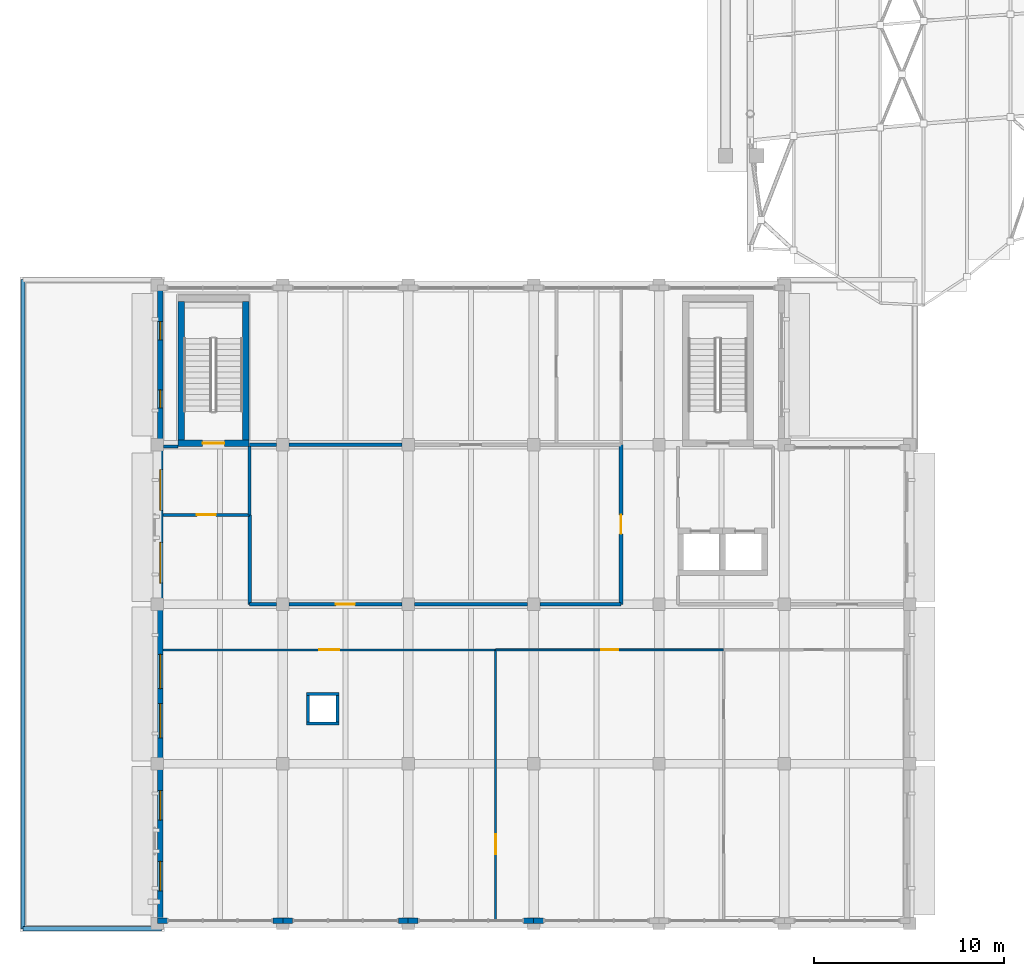
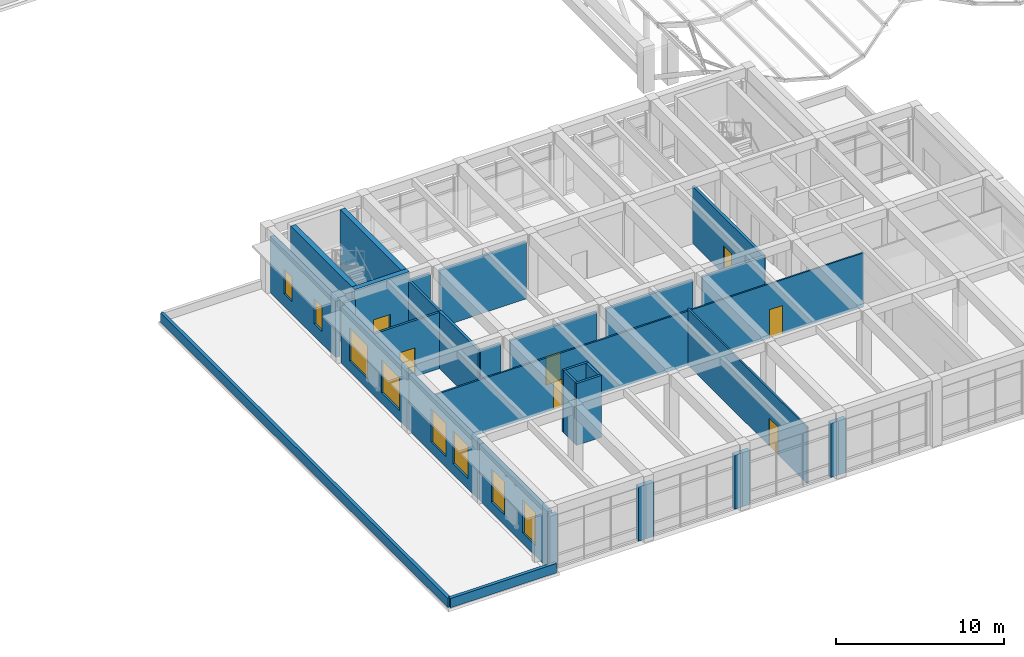
# One storey, part 50 of 79: 34 walls, 8 windows, 7 doors, 15 openings.
"""IFC4 building model written with IfcOpenShell, lengths in metres."""

from ifc_helpers import new_model, si_unit, direction, frame, frame_2d, origin, place, context, subcontext, project, spatial, rectangle, extrude, material, layer, layer_set, type_object, element, fill, save


model = new_model("IFC4")

# Units and contexts
model_context = context("Model", 3, precision=1e-05, world=origin(), true_north=direction((0.0, 1.0)))
body_context = subcontext(model_context, "Body", "Model", "MODEL_VIEW")
ifc_project = project(units=[si_unit("LENGTHUNIT", "METRE"), si_unit("AREAUNIT", "SQUARE_METRE"), si_unit("VOLUMEUNIT", "CUBIC_METRE"), si_unit("PLANEANGLEUNIT", "RADIAN"), si_unit("MASSUNIT", "GRAM", prefix="KILO")], contexts=[model_context])

# Site, building, storey
site_placement = place(None, origin())
site = spatial("IfcSite", under=ifc_project, at=site_placement, CompositionType="ELEMENT")
building_placement = place(site_placement, origin())
building = spatial("IfcBuilding", under=site, at=building_placement, Name="Kolvaren Faculty of Natural Sciences", CompositionType="ELEMENT")
storey_placement = place(building_placement, frame((0.0, 0.0, 10.199951171875)))
storey = spatial("IfcBuildingStorey", under=building, at=storey_placement, Name="L02", CompositionType="ELEMENT", Elevation=10.199951171875)

# Wall, opening, door
ifc_material_1 = material(Name="Concrete C40/50", Category="concrete")
ifc_layer_1 = layer(ifc_material_1, 0.35009765625)
ifc_layer_set_1 = layer_set([ifc_layer_1], Name="Concrete C40/50")
wall_type_1 = type_object("IfcWallType", Name="CoreShearWall_350", PredefinedType="SHEAR", material=ifc_layer_set_1)
wall_1_placement = place(storey_placement, frame((7.875, 33.875, 0.0), z_axis=(0.0, 0.0, 1.0), x_axis=(1.0, 0.0, 0.0)))
wall_1 = element("IfcWall", 1, at=wall_1_placement, inside=storey, type_object=wall_type_1, Name="L02 CORE-C8 stair shear wall S", PredefinedType="SHEAR", context=body_context, shape_type="SweptSolid", body=[
    extrude(rectangle(XDim=3.75, YDim=0.35009765625, at=frame_2d((1.875, 0.0))), origin(), (0.0, 0.0, 1.0), 4.800048828125),
])
opening_1_placement = place(wall_1_placement, frame((1.300048828125, 0.0, 0.0)))
opening_1 = element("IfcOpeningElement", 2, at=opening_1_placement, cuts=wall_1, Name="Opening FD90", PredefinedType="OPENING", context=body_context, shape_type="SweptSolid", body=[
    extrude(rectangle(XDim=1.14990234375, YDim=2.14990234375, at=frame_2d((0.574951171875, 1.074951171875))), frame((0.0, 0.18505859375, 0.0), z_axis=(0.0, -1.0, 0.0), x_axis=(1.0, 0.0, 0.0)), (0.0, 0.0, 1.0), 0.3701171875),
])
ifc_material_2 = material(Name="Fire-rated solid-core hardwood door leaf in steel frame", Category="steel")
door_type_1 = type_object("IfcDoorType", Name="StairCoreFireDoor_1150x2150", OperationType="NOTDEFINED", PredefinedType="DOOR", material=ifc_material_2)
door_1_placement = place(opening_1_placement, origin())
door_1 = element("IfcDoor", 3, at=door_1_placement, inside=storey, type_object=door_type_1, Name="D-ST-ST-8-L02", OperationType="SINGLE_SWING_LEFT", OverallHeight=2.14990234375, OverallWidth=1.14990234375, PredefinedType="DOOR", context=body_context, shape_type="SweptSolid", body=[
    extrude(rectangle(XDim=1.14990234375, YDim=2.14990234375, at=frame_2d((0.574951171875, 1.074951171875))), frame((0.0, 0.02490234375, 0.0), z_axis=(0.0, -1.0, 0.0), x_axis=(1.0, 0.0, 0.0)), (0.0, 0.0, 1.0), 0.050048828125),
])
fill(opening_1, door_1)

# Walls
for number, where, z_axis, x_axis, name in (
    (4, (8.050048828125, 34.050048828125, 0.0), (0.0, 0.0, 1.0), (0.0, 1.0, 0.0), "L02 CORE-C8 stair shear wall W"),
    (5, (11.449951171875, 34.050048828125, 0.0), (0.0, 0.0, 1.0), (0.0, 1.0, 0.0), "L02 CORE-C8 stair shear wall E"),
):
    element("IfcWall", number, at=place(storey_placement, frame(where, z_axis=z_axis, x_axis=x_axis)), inside=storey, type_object=wall_type_1, Name=name, PredefinedType="SHEAR", context=body_context, shape_type="SweptSolid", body=[
        extrude(rectangle(XDim=7.27490234375, YDim=0.35009765625, at=frame_2d((3.637451171875, 0.0))), origin(), (0.0, 0.0, 1.0), 4.800048828125),
    ])
ifc_material_3 = material(Name="Sandstone-faced insulated cavity masonry", Category="masonry")
ifc_layer_2 = layer(ifc_material_3, 0.300048828125)
ifc_layer_set_2 = layer_set([ifc_layer_2], Name="Sandstone-faced insulated cavity masonry")
wall_type_2 = type_object("IfcWallType", Name="ExteriorCavityWall_300", PredefinedType="STANDARD", material=ifc_layer_set_2)
for number, where, z_axis, x_axis, name in (
    (6, (27.1201171875, 8.75, 0.0), (0.0, 0.0, 1.0), (-1.0, 0.0, 0.0), "L02 curtain-wall pier stub 341"),
    (7, (26.60009765625, 8.75, 0.0), (0.0, 0.0, 1.0), (-1.0, 0.0, 0.0), "L02 curtain-wall pier stub 342"),
    (8, (20.52001953125, 8.75, 0.0), (0.0, 0.0, 1.0), (-1.0, 0.0, 0.0), "L02 curtain-wall pier stub 343"),
    (9, (20.0, 8.75, 0.0), (0.0, 0.0, 1.0), (-1.0, 0.0, 0.0), "L02 curtain-wall pier stub 344"),
    (10, (13.919921875, 8.75, 0.0), (0.0, 0.0, 1.0), (-1.0, 0.0, 0.0), "L02 curtain-wall pier stub 345"),
    (11, (13.39990234375, 8.75, 0.0), (0.0, 0.0, 1.0), (-1.0, 0.0, 0.0), "L02 curtain-wall pier stub 346"),
    (12, (7.320068359375, 8.75, 0.0), (0.0, 0.0, 1.0), (-1.0, 0.0, 0.0), "L02 curtain-wall pier stub 347"),
):
    element("IfcWall", number, at=place(storey_placement, frame(where, z_axis=z_axis, x_axis=x_axis)), inside=storey, type_object=wall_type_2, Name=name, PredefinedType="STANDARD", context=body_context, shape_type="SweptSolid", body=[
        extrude(rectangle(XDim=0.52001953125, YDim=0.300048828125, at=frame_2d((0.260009765625, 0.0))), origin(), (0.0, 0.0, 1.0), 3.93505859375),
    ])

# Wall, openings, windows
wall_2_placement = place(storey_placement, frame((6.949951171875, 8.89990234375, 0.0), z_axis=(0.0, 0.0, 1.0), x_axis=(0.0, 1.0, 0.0)))
wall_2 = element("IfcWall", 13, at=wall_2_placement, inside=storey, type_object=wall_type_2, Name="L02 exterior masonry wall EW-300 (348)", PredefinedType="STANDARD", context=body_context, shape_type="SweptSolid", body=[
    extrude(rectangle(XDim=8.10009765625, YDim=0.300048828125, at=frame_2d((4.050048828125, 0.0))), origin(), (0.0, 0.0, 1.0), 4.0849609375),
])
opening_2_placement = place(wall_2_placement, frame((1.412109375, 0.0, 0.75)))
opening_2 = element("IfcOpeningElement", 14, at=opening_2_placement, cuts=wall_2, Name="Opening WIN-20", PredefinedType="OPENING", context=body_context, shape_type="SweptSolid", body=[
    extrude(rectangle(XDim=1.550048828125, YDim=2.39990234375, at=frame_2d((0.77490234375, 1.199951171875))), frame((0.0, 0.159912109375, 0.0), z_axis=(0.0, -1.0, 0.0), x_axis=(1.0, 0.0, 0.0)), (0.0, 0.0, 1.0), 0.320068359375),
])
opening_3_placement = place(wall_2_placement, frame((5.137939453125, 0.0, 0.75)))
opening_3 = element("IfcOpeningElement", 15, at=opening_3_placement, cuts=wall_2, Name="Opening WIN-20", PredefinedType="OPENING", context=body_context, shape_type="SweptSolid", body=[
    extrude(rectangle(XDim=1.550048828125, YDim=2.39990234375, at=frame_2d((0.77490234375, 1.199951171875))), frame((0.0, 0.159912109375, 0.0), z_axis=(0.0, -1.0, 0.0), x_axis=(1.0, 0.0, 0.0)), (0.0, 0.0, 1.0), 0.320068359375),
])
ifc_material_4 = material(Name="Double low-E solar control insulated glazing", Category="glass")
window_type_1 = type_object("IfcWindowType", Name="AluWindow_WIN20_1550x2400", PartitioningType="SINGLE_PANEL", PredefinedType="WINDOW", material=ifc_material_4)
window_1_placement = place(opening_2_placement, origin())
window_1 = element("IfcWindow", 16, at=window_1_placement, inside=storey, type_object=window_type_1, Name="WIN-L02-0263", OverallHeight=2.39990234375, OverallWidth=1.550048828125, PartitioningType="SINGLE_PANEL", PredefinedType="WINDOW", context=body_context, shape_type="SweptSolid", body=[
    extrude(rectangle(XDim=1.550048828125, YDim=2.39990234375, at=frame_2d((0.77490234375, 1.199951171875))), frame((0.0, 0.030029296875, 0.0), z_axis=(0.0, -1.0, 0.0), x_axis=(1.0, 0.0, 0.0)), (0.0, 0.0, 1.0), 0.06005859375),
])
fill(opening_2, window_1)
window_2_placement = place(opening_3_placement, origin())
window_2 = element("IfcWindow", 17, at=window_2_placement, inside=storey, type_object=window_type_1, Name="WIN-L02-0264", OverallHeight=2.39990234375, OverallWidth=1.550048828125, PartitioningType="SINGLE_PANEL", PredefinedType="WINDOW", context=body_context, shape_type="SweptSolid", body=[
    extrude(rectangle(XDim=1.550048828125, YDim=2.39990234375, at=frame_2d((0.77490234375, 1.199951171875))), frame((0.0, 0.030029296875, 0.0), z_axis=(0.0, -1.0, 0.0), x_axis=(1.0, 0.0, 0.0)), (0.0, 0.0, 1.0), 0.06005859375),
])
fill(opening_3, window_2)

wall_3_placement = place(storey_placement, frame((6.949951171875, 17.0, 0.0), z_axis=(0.0, 0.0, 1.0), x_axis=(0.0, 1.0, 0.0)))
wall_3 = element("IfcWall", 18, at=wall_3_placement, inside=storey, type_object=wall_type_2, Name="L02 exterior masonry wall EW-300 (349)", PredefinedType="STANDARD", context=body_context, shape_type="SweptSolid", body=[
    extrude(rectangle(XDim=8.39990234375, YDim=0.300048828125, at=frame_2d((4.199951171875, 0.0))), origin(), (0.0, 0.0, 1.0), 4.0849609375),
])
opening_4_placement = place(wall_3_placement, frame((1.367919921875, 0.0, 0.75)))
opening_4 = element("IfcOpeningElement", 19, at=opening_4_placement, cuts=wall_3, Name="Opening WIN-21", PredefinedType="OPENING", context=body_context, shape_type="SweptSolid", body=[
    extrude(rectangle(XDim=1.800048828125, YDim=2.39990234375, at=frame_2d((0.89990234375, 1.199951171875))), frame((0.0, 0.159912109375, 0.0), z_axis=(0.0, -1.0, 0.0), x_axis=(1.0, 0.0, 0.0)), (0.0, 0.0, 1.0), 0.320068359375),
])
opening_5_placement = place(wall_3_placement, frame((3.9599609375, 0.0, 0.75)))
opening_5 = element("IfcOpeningElement", 20, at=opening_5_placement, cuts=wall_3, Name="Opening WIN-21", PredefinedType="OPENING", context=body_context, shape_type="SweptSolid", body=[
    extrude(rectangle(XDim=1.800048828125, YDim=2.39990234375, at=frame_2d((0.89990234375, 1.199951171875))), frame((0.0, 0.159912109375, 0.0), z_axis=(0.0, -1.0, 0.0), x_axis=(1.0, 0.0, 0.0)), (0.0, 0.0, 1.0), 0.320068359375),
])
window_type_2 = type_object("IfcWindowType", Name="AluWindow_WIN21_1800x2400", PartitioningType="SINGLE_PANEL", PredefinedType="WINDOW", material=ifc_material_4)
window_3_placement = place(opening_4_placement, origin())
window_3 = element("IfcWindow", 21, at=window_3_placement, inside=storey, type_object=window_type_2, Name="WIN-L02-0265", OverallHeight=2.39990234375, OverallWidth=1.800048828125, PartitioningType="SINGLE_PANEL", PredefinedType="WINDOW", context=body_context, shape_type="SweptSolid", body=[
    extrude(rectangle(XDim=1.800048828125, YDim=2.39990234375, at=frame_2d((0.89990234375, 1.199951171875))), frame((0.0, 0.030029296875, 0.0), z_axis=(0.0, -1.0, 0.0), x_axis=(1.0, 0.0, 0.0)), (0.0, 0.0, 1.0), 0.06005859375),
])
fill(opening_4, window_3)
window_4_placement = place(opening_5_placement, origin())
window_4 = element("IfcWindow", 22, at=window_4_placement, inside=storey, type_object=window_type_2, Name="WIN-L02-0266", OverallHeight=2.39990234375, OverallWidth=1.800048828125, PartitioningType="SINGLE_PANEL", PredefinedType="WINDOW", context=body_context, shape_type="SweptSolid", body=[
    extrude(rectangle(XDim=1.800048828125, YDim=2.39990234375, at=frame_2d((0.89990234375, 1.199951171875))), frame((0.0, 0.030029296875, 0.0), z_axis=(0.0, -1.0, 0.0), x_axis=(1.0, 0.0, 0.0)), (0.0, 0.0, 1.0), 0.06005859375),
])
fill(opening_5, window_4)

wall_4_placement = place(storey_placement, frame((6.949951171875, 25.39990234375, 0.0), z_axis=(0.0, 0.0, 1.0), x_axis=(0.0, 1.0, 0.0)))
wall_4 = element("IfcWall", 23, at=wall_4_placement, inside=storey, type_object=wall_type_2, Name="L02 exterior masonry wall EW-300 (350)", PredefinedType="STANDARD", context=body_context, shape_type="SweptSolid", body=[
    extrude(rectangle(XDim=8.10009765625, YDim=0.300048828125, at=frame_2d((4.050048828125, 0.0))), origin(), (0.0, 0.0, 1.0), 4.0849609375),
])
opening_6_placement = place(wall_4_placement, frame((1.112060546875, 0.0, 0.75)))
opening_6 = element("IfcOpeningElement", 24, at=opening_6_placement, cuts=wall_4, Name="Opening WIN-22", PredefinedType="OPENING", context=body_context, shape_type="SweptSolid", body=[
    extrude(rectangle(XDim=2.14990234375, YDim=2.39990234375, at=frame_2d((1.074951171875, 1.199951171875))), frame((0.0, 0.159912109375, 0.0), z_axis=(0.0, -1.0, 0.0), x_axis=(1.0, 0.0, 0.0)), (0.0, 0.0, 1.0), 0.320068359375),
])
opening_7_placement = place(wall_4_placement, frame((4.93994140625, 0.0, 0.75)))
opening_7 = element("IfcOpeningElement", 25, at=opening_7_placement, cuts=wall_4, Name="Opening WIN-22", PredefinedType="OPENING", context=body_context, shape_type="SweptSolid", body=[
    extrude(rectangle(XDim=2.14990234375, YDim=2.39990234375, at=frame_2d((1.074951171875, 1.199951171875))), frame((0.0, 0.159912109375, 0.0), z_axis=(0.0, -1.0, 0.0), x_axis=(1.0, 0.0, 0.0)), (0.0, 0.0, 1.0), 0.320068359375),
])
window_type_3 = type_object("IfcWindowType", Name="AluWindow_WIN22_2150x2400", PartitioningType="SINGLE_PANEL", PredefinedType="WINDOW", material=ifc_material_4)
window_5_placement = place(opening_6_placement, origin())
window_5 = element("IfcWindow", 26, at=window_5_placement, inside=storey, type_object=window_type_3, Name="WIN-L02-0267", OverallHeight=2.39990234375, OverallWidth=2.14990234375, PartitioningType="SINGLE_PANEL", PredefinedType="WINDOW", context=body_context, shape_type="SweptSolid", body=[
    extrude(rectangle(XDim=2.14990234375, YDim=2.39990234375, at=frame_2d((1.074951171875, 1.199951171875))), frame((0.0, 0.030029296875, 0.0), z_axis=(0.0, -1.0, 0.0), x_axis=(1.0, 0.0, 0.0)), (0.0, 0.0, 1.0), 0.06005859375),
])
fill(opening_6, window_5)
window_6_placement = place(opening_7_placement, origin())
window_6 = element("IfcWindow", 27, at=window_6_placement, inside=storey, type_object=window_type_3, Name="WIN-L02-0268", OverallHeight=2.39990234375, OverallWidth=2.14990234375, PartitioningType="SINGLE_PANEL", PredefinedType="WINDOW", context=body_context, shape_type="SweptSolid", body=[
    extrude(rectangle(XDim=2.14990234375, YDim=2.39990234375, at=frame_2d((1.074951171875, 1.199951171875))), frame((0.0, 0.030029296875, 0.0), z_axis=(0.0, -1.0, 0.0), x_axis=(1.0, 0.0, 0.0)), (0.0, 0.0, 1.0), 0.06005859375),
])
fill(opening_7, window_6)

wall_5_placement = place(storey_placement, frame((6.949951171875, 34.10009765625, 0.0), z_axis=(0.0, 0.0, 1.0), x_axis=(0.0, 1.0, 0.0)))
wall_5 = element("IfcWall", 28, at=wall_5_placement, inside=storey, type_object=wall_type_2, Name="L02 exterior masonry wall EW-300 (351)", PredefinedType="STANDARD", context=body_context, shape_type="SweptSolid", body=[
    extrude(rectangle(XDim=7.7998046875, YDim=0.300048828125, at=frame_2d((3.89990234375, 0.0))), origin(), (0.0, 0.0, 1.0), 4.0849609375),
])
opening_8_placement = place(wall_5_placement, frame((1.631103515625, 0.0, 0.89990234375)))
opening_8 = element("IfcOpeningElement", 29, at=opening_8_placement, cuts=wall_5, Name="Opening WIN-23", PredefinedType="OPENING", context=body_context, shape_type="SweptSolid", body=[
    extrude(rectangle(XDim=0.949951171875, YDim=1.800048828125, at=frame_2d((0.47509765625, 0.89990234375))), frame((0.0, 0.159912109375, 0.0), z_axis=(0.0, -1.0, 0.0), x_axis=(1.0, 0.0, 0.0)), (0.0, 0.0, 1.0), 0.320068359375),
])
opening_9_placement = place(wall_5_placement, frame((5.218994140625, 0.0, 0.89990234375)))
opening_9 = element("IfcOpeningElement", 30, at=opening_9_placement, cuts=wall_5, Name="Opening WIN-23", PredefinedType="OPENING", context=body_context, shape_type="SweptSolid", body=[
    extrude(rectangle(XDim=0.949951171875, YDim=1.800048828125, at=frame_2d((0.47509765625, 0.89990234375))), frame((0.0, 0.159912109375, 0.0), z_axis=(0.0, -1.0, 0.0), x_axis=(1.0, 0.0, 0.0)), (0.0, 0.0, 1.0), 0.320068359375),
])
window_type_4 = type_object("IfcWindowType", Name="AluWindow_WIN23_950x1800", PartitioningType="SINGLE_PANEL", PredefinedType="WINDOW", material=ifc_material_4)
window_7_placement = place(opening_8_placement, origin())
window_7 = element("IfcWindow", 31, at=window_7_placement, inside=storey, type_object=window_type_4, Name="WIN-L02-0269", OverallHeight=1.800048828125, OverallWidth=0.949951171875, PartitioningType="SINGLE_PANEL", PredefinedType="WINDOW", context=body_context, shape_type="SweptSolid", body=[
    extrude(rectangle(XDim=0.949951171875, YDim=1.800048828125, at=frame_2d((0.47509765625, 0.89990234375))), frame((0.0, 0.030029296875, 0.0), z_axis=(0.0, -1.0, 0.0), x_axis=(1.0, 0.0, 0.0)), (0.0, 0.0, 1.0), 0.06005859375),
])
fill(opening_8, window_7)
window_8_placement = place(opening_9_placement, origin())
window_8 = element("IfcWindow", 32, at=window_8_placement, inside=storey, type_object=window_type_4, Name="WIN-L02-0270", OverallHeight=1.800048828125, OverallWidth=0.949951171875, PartitioningType="SINGLE_PANEL", PredefinedType="WINDOW", context=body_context, shape_type="SweptSolid", body=[
    extrude(rectangle(XDim=0.949951171875, YDim=1.800048828125, at=frame_2d((0.47509765625, 0.89990234375))), frame((0.0, 0.030029296875, 0.0), z_axis=(0.0, -1.0, 0.0), x_axis=(1.0, 0.0, 0.0)), (0.0, 0.0, 1.0), 0.06005859375),
])
fill(opening_9, window_8)

# Walls
ifc_material_5 = material(Name="Acoustic mineral-wool insulated gypsum partition")
ifc_layer_3 = layer(ifc_material_5, 0.18505859375)
ifc_layer_set_3 = layer_set([ifc_layer_3], Name="Acoustic mineral-wool insulated gypsum partition")
wall_type_3 = type_object("IfcWallType", Name="LabPartitionWall_185", PredefinedType="PARTITIONING", material=ifc_layer_set_3)
wall_6_placement = place(storey_placement, frame((11.64990234375, 33.800048828125, 0.0), z_axis=(0.0, 0.0, 1.0), x_axis=(1.0, 0.0, 0.0)))
element("IfcWall", 33, at=wall_6_placement, inside=storey, type_object=wall_type_3, Name="L02 interior partition PW-185", PredefinedType="PARTITIONING", context=body_context, shape_type="SweptSolid", body=[
    extrude(rectangle(XDim=1.425048828125, YDim=0.18505859375, at=frame_2d((0.71240234375, 0.0))), origin(), (0.0, 0.0, 1.0), 4.135009765625),
])
wall_7_placement = place(storey_placement, frame((13.72509765625, 33.800048828125, 0.0), z_axis=(0.0, 0.0, 1.0), x_axis=(1.0, 0.0, 0.0)))
element("IfcWall", 34, at=wall_7_placement, inside=storey, type_object=wall_type_3, Name="L02 interior partition PW-185", PredefinedType="PARTITIONING", context=body_context, shape_type="SweptSolid", body=[
    extrude(rectangle(XDim=5.949951171875, YDim=0.18505859375, at=frame_2d((2.97509765625, 0.0))), origin(), (0.0, 0.0, 1.0), 4.135009765625),
])

# Wall, opening, door
wall_8_placement = place(storey_placement, frame((31.199951171875, 33.800048828125, 0.0), z_axis=(0.0, 0.0, 1.0), x_axis=(0.0, -1.0, 0.0)))
wall_8 = element("IfcWall", 35, at=wall_8_placement, inside=storey, type_object=wall_type_3, Name="L02 interior partition PW-185", PredefinedType="PARTITIONING", context=body_context, shape_type="SweptSolid", body=[
    extrude(rectangle(XDim=8.400146484375, YDim=0.18505859375, at=frame_2d((4.2001953125, 0.0))), origin(), (0.0, 0.0, 1.0), 4.135009765625),
])
opening_10_placement = place(wall_8_placement, frame((3.699951171875, 0.0, 0.0)))
opening_10 = element("IfcOpeningElement", 36, at=opening_10_placement, cuts=wall_8, Name="Opening ID-08", PredefinedType="OPENING", context=body_context, shape_type="SweptSolid", body=[
    extrude(rectangle(XDim=1.0, YDim=2.06005859375, at=frame_2d((0.5, 1.030029296875))), frame((0.0, 0.1025390625, 0.0), z_axis=(0.0, -1.0, 0.0), x_axis=(1.0, 0.0, 0.0)), (0.0, 0.0, 1.0), 0.205078125),
])
ifc_material_6 = material(Name="Solid-core hardwood veneer door leaf in steel frame", Category="steel")
door_type_2 = type_object("IfcDoorType", Name="InteriorRoomDoor_1000x2060", OperationType="NOTDEFINED", PredefinedType="DOOR", material=ifc_material_6)
door_2_placement = place(opening_10_placement, origin())
door_2 = element("IfcDoor", 37, at=door_2_placement, inside=storey, type_object=door_type_2, Name="D-L02-0195", OperationType="SINGLE_SWING_LEFT", OverallHeight=2.06005859375, OverallWidth=1.0, PredefinedType="DOOR", context=body_context, shape_type="SweptSolid", body=[
    extrude(rectangle(XDim=1.0, YDim=2.06005859375, at=frame_2d((0.5, 1.030029296875))), frame((0.0, 0.02490234375, 0.0), z_axis=(0.0, -1.0, 0.0), x_axis=(1.0, 0.0, 0.0)), (0.0, 0.0, 1.0), 0.050048828125),
])
fill(opening_10, door_2)

# Walls
wall_9_placement = place(storey_placement, frame((31.199951171875, 25.39990234375, 0.0), z_axis=(0.0, 0.0, 1.0), x_axis=(-1.0, 0.0, 0.0)))
element("IfcWall", 38, at=wall_9_placement, inside=storey, type_object=wall_type_3, Name="L02 interior partition PW-185", PredefinedType="PARTITIONING", context=body_context, shape_type="SweptSolid", body=[
    extrude(rectangle(XDim=4.27490234375, YDim=0.18505859375, at=frame_2d((2.137451171875, 0.0))), origin(), (0.0, 0.0, 1.0), 4.135009765625),
])
wall_10_placement = place(storey_placement, frame((26.27490234375, 25.39990234375, 0.0), z_axis=(0.0, 0.0, 1.0), x_axis=(-1.0, 0.0, 0.0)))
element("IfcWall", 39, at=wall_10_placement, inside=storey, type_object=wall_type_3, Name="L02 interior partition PW-185", PredefinedType="PARTITIONING", context=body_context, shape_type="SweptSolid", body=[
    extrude(rectangle(XDim=5.949951171875, YDim=0.18505859375, at=frame_2d((2.97509765625, 0.0))), origin(), (0.0, 0.0, 1.0), 4.135009765625),
])

# Wall, opening, door
wall_11_placement = place(storey_placement, frame((19.675048828125, 25.39990234375, 0.0), z_axis=(0.0, 0.0, 1.0), x_axis=(-1.0, 0.0, 0.0)))
wall_11 = element("IfcWall", 40, at=wall_11_placement, inside=storey, type_object=wall_type_3, Name="L02 interior partition PW-185", PredefinedType="PARTITIONING", context=body_context, shape_type="SweptSolid", body=[
    extrude(rectangle(XDim=5.949951171875, YDim=0.18505859375, at=frame_2d((2.97509765625, 0.0))), origin(), (0.0, 0.0, 1.0), 4.135009765625),
])
opening_11_placement = place(wall_11_placement, frame((2.47509765625, 0.0, 0.0)))
opening_11 = element("IfcOpeningElement", 41, at=opening_11_placement, cuts=wall_11, Name="Opening ID-08", PredefinedType="OPENING", context=body_context, shape_type="SweptSolid", body=[
    extrude(rectangle(XDim=1.0, YDim=2.06005859375, at=frame_2d((0.5, 1.030029296875))), frame((0.0, 0.1025390625, 0.0), z_axis=(0.0, -1.0, 0.0), x_axis=(1.0, 0.0, 0.0)), (0.0, 0.0, 1.0), 0.205078125),
])
door_3_placement = place(opening_11_placement, origin())
door_3 = element("IfcDoor", 42, at=door_3_placement, inside=storey, type_object=door_type_2, Name="D-L02-0196", OperationType="SINGLE_SWING_RIGHT", OverallHeight=2.06005859375, OverallWidth=1.0, PredefinedType="DOOR", context=body_context, shape_type="SweptSolid", body=[
    extrude(rectangle(XDim=1.0, YDim=2.06005859375, at=frame_2d((0.5, 1.030029296875))), frame((0.0, 0.02490234375, 0.0), z_axis=(0.0, -1.0, 0.0), x_axis=(1.0, 0.0, 0.0)), (0.0, 0.0, 1.0), 0.050048828125),
])
fill(opening_11, door_3)

# Walls
wall_12_placement = place(storey_placement, frame((13.074951171875, 25.39990234375, 0.0), z_axis=(0.0, 0.0, 1.0), x_axis=(-1.0, 0.0, 0.0)))
element("IfcWall", 43, at=wall_12_placement, inside=storey, type_object=wall_type_3, Name="L02 interior partition PW-185", PredefinedType="PARTITIONING", context=body_context, shape_type="SweptSolid", body=[
    extrude(rectangle(XDim=1.425048828125, YDim=0.18505859375, at=frame_2d((0.71240234375, 0.0))), origin(), (0.0, 0.0, 1.0), 4.135009765625),
])
wall_13_placement = place(storey_placement, frame((11.64990234375, 25.39990234375, 0.0), z_axis=(0.0, 0.0, 1.0), x_axis=(0.0, 1.0, 0.0)))
element("IfcWall", 44, at=wall_13_placement, inside=storey, type_object=wall_type_3, Name="L02 interior partition PW-185", PredefinedType="PARTITIONING", context=body_context, shape_type="SweptSolid", body=[
    extrude(rectangle(XDim=4.7001953125, YDim=0.18505859375, at=frame_2d((2.35009765625, 0.0))), origin(), (0.0, 0.0, 1.0), 4.135009765625),
])
ifc_material_7 = material(Name="Precast concrete C35/45", Category="concrete")
ifc_layer_4 = layer(ifc_material_7, 0.219970703125)
ifc_layer_set_4 = layer_set([ifc_layer_4], Name="Precast concrete C35/45")
wall_type_4 = type_object("IfcWallType", Name="ParapetUpstandWall_220", PredefinedType="PARAPET", material=ifc_layer_set_4)
wall_14_placement = place(storey_placement, frame((7.030029296875, 8.320068359375, 0.0), z_axis=(0.0, 0.0, 1.0), x_axis=(-1.0, 0.0, 0.0)))
element("IfcWall", 45, at=wall_14_placement, inside=storey, type_object=wall_type_4, Name="L02 architectural sandstone roof parapet 19", PredefinedType="PARAPET", context=body_context, shape_type="SweptSolid", body=[
    extrude(rectangle(XDim=7.31005859375, YDim=0.219970703125, at=frame_2d((3.655029296875, 0.0))), origin(), (0.0, 0.0, 1.0), 0.679931640625),
])
wall_15_placement = place(storey_placement, frame((-0.280029296875, 8.320068359375, 0.0), z_axis=(0.0, 0.0, 1.0), x_axis=(0.0, 1.0, 0.0)))
element("IfcWall", 46, at=wall_15_placement, inside=storey, type_object=wall_type_4, Name="L02 architectural sandstone roof parapet 20", PredefinedType="PARAPET", context=body_context, shape_type="SweptSolid", body=[
    extrude(rectangle(XDim=34.159912109375, YDim=0.219970703125, at=frame_2d((17.080078125, 0.0))), origin(), (0.0, 0.0, 1.0), 0.679931640625),
])

# Wall, opening, door
ifc_material_8 = material(Name="Double fire-rated gypsum board on 100 mm steel stud", Category="steel")
ifc_layer_5 = layer(ifc_material_8, 0.14990234375)
ifc_layer_set_5 = layer_set([ifc_layer_5], Name="Double fire-rated gypsum board on 100 mm steel stud")
wall_type_5 = type_object("IfcWallType", Name="RatedCorridorWall_150", PredefinedType="PARTITIONING", material=ifc_layer_set_5)
wall_16_placement = place(storey_placement, frame((11.64990234375, 30.10009765625, 0.0), z_axis=(0.0, 0.0, 1.0), x_axis=(-1.0, 0.0, 0.0)))
wall_16 = element("IfcWall", 47, at=wall_16_placement, inside=storey, type_object=wall_type_5, Name="L02 interior partition LW-150", PredefinedType="PARTITIONING", context=body_context, shape_type="SweptSolid", body=[
    extrude(rectangle(XDim=4.5478515625, YDim=0.14990234375, at=frame_2d((2.27392578125, 0.0))), origin(), (0.0, 0.0, 1.0), 4.0849609375),
])
opening_12_placement = place(wall_16_placement, frame((1.77392578125, 0.0, 0.0)))
opening_12 = element("IfcOpeningElement", 48, at=opening_12_placement, cuts=wall_16, Name="Opening FD30", PredefinedType="OPENING", context=body_context, shape_type="SweptSolid", body=[
    extrude(rectangle(XDim=1.0, YDim=2.10009765625, at=frame_2d((0.5, 1.050048828125))), frame((0.0, 0.0849609375, 0.0), z_axis=(0.0, -1.0, 0.0), x_axis=(1.0, 0.0, 0.0)), (0.0, 0.0, 1.0), 0.169921875),
])
door_type_3 = type_object("IfcDoorType", Name="CorridorFireDoor_1000x2100", OperationType="NOTDEFINED", PredefinedType="DOOR", material=ifc_material_2)
door_4_placement = place(opening_12_placement, origin())
door_4 = element("IfcDoor", 49, at=door_4_placement, inside=storey, type_object=door_type_3, Name="D-L02-0177", OperationType="SINGLE_SWING_LEFT", OverallHeight=2.10009765625, OverallWidth=1.0, PredefinedType="DOOR", context=body_context, shape_type="SweptSolid", body=[
    extrude(rectangle(XDim=1.0, YDim=2.10009765625, at=frame_2d((0.5, 1.050048828125))), frame((0.0, 0.02490234375, 0.0), z_axis=(0.0, -1.0, 0.0), x_axis=(1.0, 0.0, 0.0)), (0.0, 0.0, 1.0), 0.050048828125),
])
fill(opening_12, door_4)

# Walls
wall_17_placement = place(storey_placement, frame((7.125, 33.699951171875, 0.0), z_axis=(0.0, 0.0, 1.0), x_axis=(1.0, 0.0, 0.0)))
element("IfcWall", 50, at=wall_17_placement, inside=storey, type_object=wall_type_5, Name="L02 interior partition LW-150", PredefinedType="PARTITIONING", context=body_context, shape_type="SweptSolid", body=[
    extrude(rectangle(XDim=0.75, YDim=0.14990234375, at=frame_2d((0.375, 0.0))), origin(), (0.0, 0.0, 1.0), 4.135009765625),
])
wall_18_placement = place(storey_placement, frame((11.64990234375, 33.699951171875, 0.0), z_axis=(0.0, 0.0, 1.0), x_axis=(0.0, -1.0, 0.0)))
element("IfcWall", 51, at=wall_18_placement, inside=storey, type_object=wall_type_5, Name="L02 interior partition LW-150", PredefinedType="PARTITIONING", context=body_context, shape_type="SweptSolid", body=[
    extrude(rectangle(XDim=3.599853515625, YDim=0.14990234375, at=frame_2d((1.7998046875, 0.0))), origin(), (0.0, 0.0, 1.0), 4.135009765625),
])
ifc_layer_6 = layer(ifc_material_8, 0.159912109375)
ifc_layer_set_6 = layer_set([ifc_layer_6], Name="Double fire-rated gypsum board on 100 mm steel stud")
wall_type_6 = type_object("IfcWallType", Name="RiserShaftWall_160", PredefinedType="PARTITIONING", material=ifc_layer_set_6)
for number, where, z_axis, x_axis, name in (
    (52, (14.639892578125, 19.1201171875, 0.0), (0.0, 0.0, 1.0), (1.0, 0.0, 0.0), "L02 service riser shaft wall S"),
    (53, (14.639892578125, 20.679931640625, 0.0), (0.0, 0.0, 1.0), (1.0, 0.0, 0.0), "L02 service riser shaft wall N"),
):
    element("IfcWall", number, at=place(storey_placement, frame(where, z_axis=z_axis, x_axis=x_axis)), inside=storey, type_object=wall_type_6, Name=name, PredefinedType="PARTITIONING", context=body_context, shape_type="SweptSolid", body=[
        extrude(rectangle(XDim=1.72021484375, YDim=0.159912109375, at=frame_2d((0.860107421875, 0.0))), origin(), (0.0, 0.0, 1.0), 4.4951171875),
    ])
for number, where, z_axis, x_axis, name in (
    (54, (14.719970703125, 19.199951171875, 0.0), (0.0, 0.0, 1.0), (0.0, 1.0, 0.0), "L02 service riser shaft wall W"),
    (55, (16.280029296875, 19.199951171875, 0.0), (0.0, 0.0, 1.0), (0.0, 1.0, 0.0), "L02 service riser shaft wall E"),
):
    element("IfcWall", number, at=place(storey_placement, frame(where, z_axis=z_axis, x_axis=x_axis)), inside=storey, type_object=wall_type_6, Name=name, PredefinedType="PARTITIONING", context=body_context, shape_type="SweptSolid", body=[
        extrude(rectangle(XDim=1.400146484375, YDim=0.159912109375, at=frame_2d((0.7001953125, 0.0))), origin(), (0.0, 0.0, 1.0), 4.4951171875),
    ])

# Wall, opening, door
ifc_layer_7 = layer(ifc_material_5, 0.114990234375)
ifc_layer_set_7 = layer_set([ifc_layer_7], Name="Acoustic mineral-wool insulated gypsum partition")
wall_type_7 = type_object("IfcWallType", Name="StorePartitionWall_115", PredefinedType="PARTITIONING", material=ifc_layer_set_7)
wall_19_placement = place(storey_placement, frame((7.10205078125, 23.0, 0.0), z_axis=(0.0, 0.0, 1.0), x_axis=(1.0, 0.0, 0.0)))
wall_19 = element("IfcWall", 56, at=wall_19_placement, inside=storey, type_object=wall_type_7, Name="L02 interior partition PW-115", PredefinedType="PARTITIONING", context=body_context, shape_type="SweptSolid", body=[
    extrude(rectangle(XDim=17.498046875, YDim=0.114990234375, at=frame_2d((8.7490234375, 0.0))), origin(), (0.0, 0.0, 1.0), 3.93505859375),
])
opening_13_placement = place(wall_19_placement, frame((8.218994140625, 0.0, 0.0)))
opening_13 = element("IfcOpeningElement", 57, at=opening_13_placement, cuts=wall_19, Name="Opening ID-05", PredefinedType="OPENING", context=body_context, shape_type="SweptSolid", body=[
    extrude(rectangle(XDim=1.06005859375, YDim=2.02001953125, at=frame_2d((0.530029296875, 1.010009765625))), frame((0.0, 0.0673828125, 0.0), z_axis=(0.0, -1.0, 0.0), x_axis=(1.0, 0.0, 0.0)), (0.0, 0.0, 1.0), 0.135009765625),
])
door_type_4 = type_object("IfcDoorType", Name="InteriorRoomDoor_1060x2020", OperationType="NOTDEFINED", PredefinedType="DOOR", material=ifc_material_6)
door_5_placement = place(opening_13_placement, origin())
door_5 = element("IfcDoor", 58, at=door_5_placement, inside=storey, type_object=door_type_4, Name="D-L02-0189", OperationType="SINGLE_SWING_LEFT", OverallHeight=2.02001953125, OverallWidth=1.06005859375, PredefinedType="DOOR", context=body_context, shape_type="SweptSolid", body=[
    extrude(rectangle(XDim=1.06005859375, YDim=2.02001953125, at=frame_2d((0.530029296875, 1.010009765625))), frame((0.0, 0.02490234375, 0.0), z_axis=(0.0, -1.0, 0.0), x_axis=(1.0, 0.0, 0.0)), (0.0, 0.0, 1.0), 0.050048828125),
])
fill(opening_13, door_5)

wall_20_placement = place(storey_placement, frame((24.60009765625, 23.0, 0.0), z_axis=(0.0, 0.0, 1.0), x_axis=(0.0, -1.0, 0.0)))
wall_20 = element("IfcWall", 59, at=wall_20_placement, inside=storey, type_object=wall_type_7, Name="L02 interior partition PW-115", PredefinedType="PARTITIONING", context=body_context, shape_type="SweptSolid", body=[
    extrude(rectangle(XDim=14.219970703125, YDim=0.114990234375, at=frame_2d((7.10986328125, 0.0))), origin(), (0.0, 0.0, 1.0), 4.0849609375),
])
opening_14_placement = place(wall_20_placement, frame((9.70849609375, 0.0, 0.0)))
opening_14 = element("IfcOpeningElement", 60, at=opening_14_placement, cuts=wall_20, Name="Opening ID-05", PredefinedType="OPENING", context=body_context, shape_type="SweptSolid", body=[
    extrude(rectangle(XDim=1.06005859375, YDim=2.02001953125, at=frame_2d((0.530029296875, 1.010009765625))), frame((0.0, 0.0673828125, 0.0), z_axis=(0.0, -1.0, 0.0), x_axis=(1.0, 0.0, 0.0)), (0.0, 0.0, 1.0), 0.135009765625),
])
door_6_placement = place(opening_14_placement, origin())
door_6 = element("IfcDoor", 61, at=door_6_placement, inside=storey, type_object=door_type_4, Name="D-L02-0190", OperationType="SINGLE_SWING_RIGHT", OverallHeight=2.02001953125, OverallWidth=1.06005859375, PredefinedType="DOOR", context=body_context, shape_type="SweptSolid", body=[
    extrude(rectangle(XDim=1.06005859375, YDim=2.02001953125, at=frame_2d((0.530029296875, 1.010009765625))), frame((0.0, 0.02490234375, 0.0), z_axis=(0.0, -1.0, 0.0), x_axis=(1.0, 0.0, 0.0)), (0.0, 0.0, 1.0), 0.050048828125),
])
fill(opening_14, door_6)

ifc_layer_8 = layer(ifc_material_5, 0.10498046875)
ifc_layer_set_8 = layer_set([ifc_layer_8], Name="Acoustic mineral-wool insulated gypsum partition")
wall_type_8 = type_object("IfcWallType", Name="WetRoomPartition_105", PredefinedType="PARTITIONING", material=ifc_layer_set_8)
wall_21_placement = place(storey_placement, frame((24.60009765625, 23.0, 0.0), z_axis=(0.0, 0.0, 1.0), x_axis=(1.0, 0.0, 0.0)))
wall_21 = element("IfcWall", 62, at=wall_21_placement, inside=storey, type_object=wall_type_8, Name="L02 interior partition PW-105", PredefinedType="PARTITIONING", context=body_context, shape_type="SweptSolid", body=[
    extrude(rectangle(XDim=12.0, YDim=0.10498046875, at=frame_2d((6.0, 0.0))), origin(), (0.0, 0.0, 1.0), 3.93505859375),
])
opening_15_placement = place(wall_21_placement, frame((5.550048828125, 0.0, 0.0)))
opening_15 = element("IfcOpeningElement", 63, at=opening_15_placement, cuts=wall_21, Name="Opening ID-06", PredefinedType="OPENING", context=body_context, shape_type="SweptSolid", body=[
    extrude(rectangle(XDim=0.89990234375, YDim=2.06005859375, at=frame_2d((0.449951171875, 1.030029296875))), frame((0.0, 0.0625, 0.0), z_axis=(0.0, -1.0, 0.0), x_axis=(1.0, 0.0, 0.0)), (0.0, 0.0, 1.0), 0.125),
])
door_type_5 = type_object("IfcDoorType", Name="InteriorRoomDoor_900x2060", OperationType="NOTDEFINED", PredefinedType="DOOR", material=ifc_material_6)
door_7_placement = place(opening_15_placement, origin())
door_7 = element("IfcDoor", 64, at=door_7_placement, inside=storey, type_object=door_type_5, Name="D-L02-0191", OperationType="SINGLE_SWING_LEFT", OverallHeight=2.06005859375, OverallWidth=0.89990234375, PredefinedType="DOOR", context=body_context, shape_type="SweptSolid", body=[
    extrude(rectangle(XDim=0.89990234375, YDim=2.06005859375, at=frame_2d((0.449951171875, 1.030029296875))), frame((0.0, 0.02490234375, 0.0), z_axis=(0.0, -1.0, 0.0), x_axis=(1.0, 0.0, 0.0)), (0.0, 0.0, 1.0), 0.050048828125),
])
fill(opening_15, door_7)

save(model, "model.ifc")
